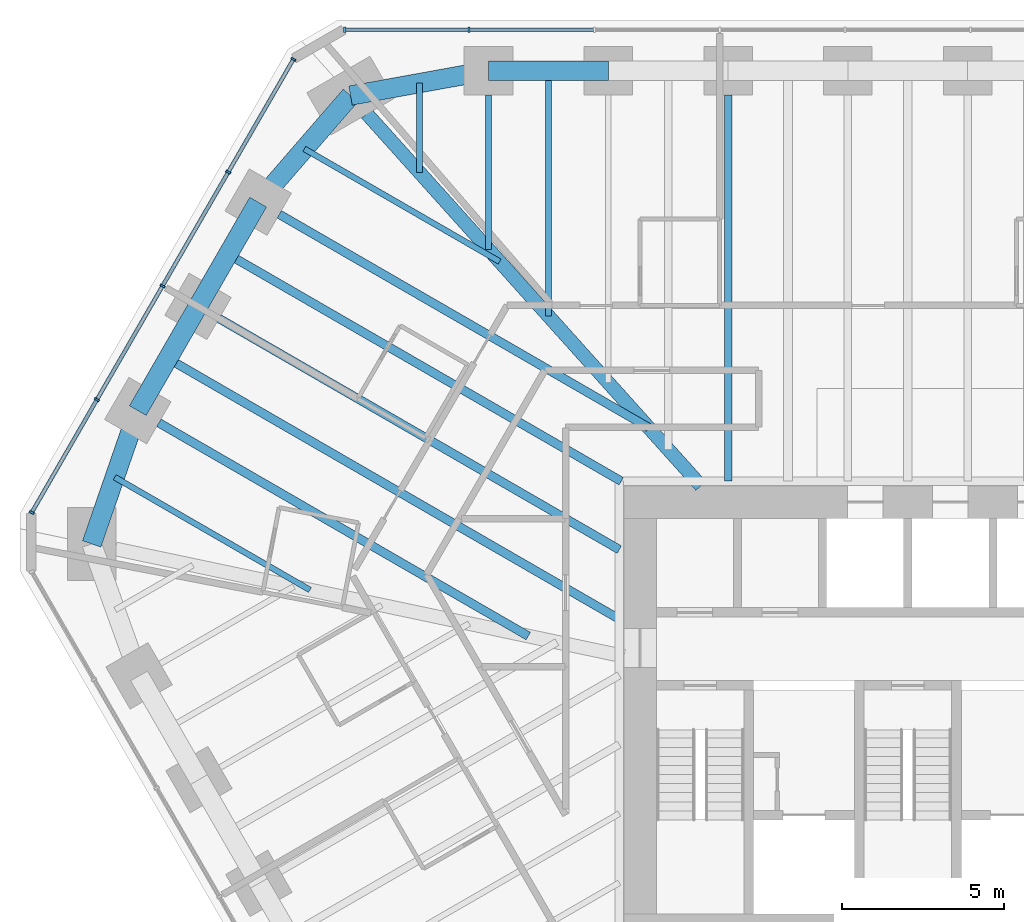
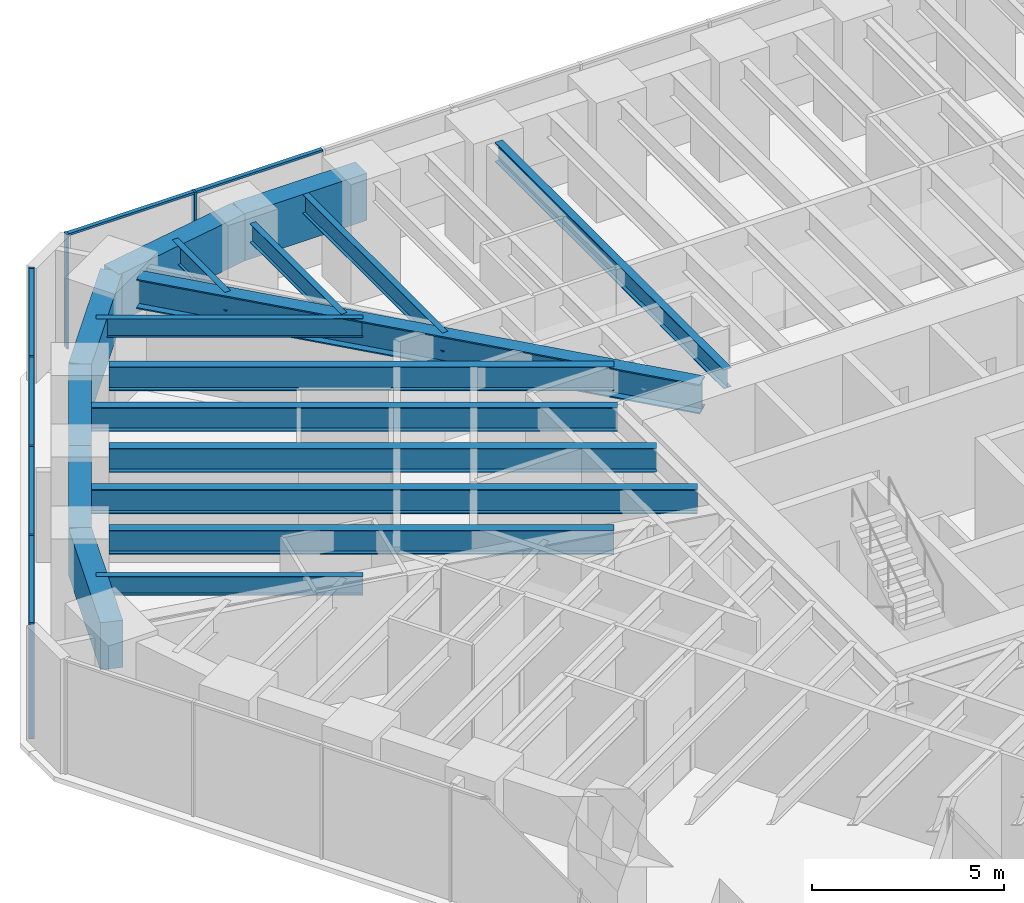
# One storey, part 7 of 17: 18 beams, 13 members, 2 elements without a shape of their own.
"""IFC4 building model written with IfcOpenShell, lengths in metres."""

from ifc_helpers import new_model, si_unit, direction, frame, origin, origin_2d, place, context, subcontext, project, spatial, rectangle, i_section, extrude, material, material_profile, profile_set, type_object, element, aggregate, save


model = new_model("IFC4")

# Units and contexts
model_context = context("Model", 3, precision=1e-05, world=origin(), true_north=direction((0.0, 1.0)))
body_context = subcontext(model_context, "Body", "Model", "MODEL_VIEW")
ifc_project = project(units=[si_unit("LENGTHUNIT", "METRE"), si_unit("AREAUNIT", "SQUARE_METRE"), si_unit("VOLUMEUNIT", "CUBIC_METRE"), si_unit("PLANEANGLEUNIT", "RADIAN"), si_unit("MASSUNIT", "GRAM", prefix="KILO")], contexts=[model_context])

# Site, building, storey
site_placement = place(None, origin())
site = spatial("IfcSite", under=ifc_project, at=site_placement, CompositionType="ELEMENT")
building_placement = place(site_placement, origin())
building = spatial("IfcBuilding", under=site, at=building_placement, Name="Sandreach Pilgrim Tower", CompositionType="ELEMENT")
storey_placement = place(building_placement, frame((0.0, 0.0, 217.39990234375)))
storey = spatial("IfcBuildingStorey", under=building, at=storey_placement, Name="L54", CompositionType="ELEMENT", Elevation=217.39990234375)

# Curtain wall, members
ifc_material_1 = material(Name="Aluminium framed curtain wall", Category="aluminium")
curtain_wall_type = type_object("IfcCurtainWallType", Name="Upper hotel tower curtain wall", PredefinedType="NOTDEFINED", material=ifc_material_1)
curtain_wall_1_placement = place(storey_placement, origin())
curtain_wall_1 = element("IfcCurtainWall", 1, at=curtain_wall_1_placement, inside=storey, type_object=curtain_wall_type, Name="CW-3 L54 N", PredefinedType="NOTDEFINED")
ifc_material_2 = material(Name="Aluminium extrusion", Category="aluminium")
ifc_material_profile_1 = material_profile(ifc_material_2, rectangle(XDim=0.06494140625, YDim=0.159912109375, at=origin_2d()), Name="CW-3M 65X160")
ifc_profile_set_1 = profile_set([ifc_material_profile_1], Name="Aluminium extrusion")
member_type_1 = type_object("IfcMemberType", Name="CW-3 mullion", PredefinedType="MULLION", material=ifc_profile_set_1)
member_1_placement = place(storey_placement, frame((-17.357421875, 21.16015625, 0.0), z_axis=(0.0, 0.0, 1.0), x_axis=(1.0, 0.0, 0.0)))
member_1 = element("IfcMember", 2, at=member_1_placement, type_object=member_type_1, Name="CW-3 mullion 1", PredefinedType="MULLION", context=body_context, shape_type="SweptSolid", body=[
    extrude(rectangle(XDim=0.06494140625, YDim=0.159912109375, at=origin_2d()), origin(), (0.0, 0.0, 1.0), 3.64013671875),
])
member_2_placement = place(storey_placement, frame((-13.525390625, 21.16015625, 0.0), z_axis=(0.0, 0.0, 1.0), x_axis=(1.0, 0.0, 0.0)))
member_2 = element("IfcMember", 3, at=member_2_placement, type_object=member_type_1, Name="CW-3 mullion 2", PredefinedType="MULLION", context=body_context, shape_type="SweptSolid", body=[
    extrude(rectangle(XDim=0.06494140625, YDim=0.159912109375, at=origin_2d()), origin(), (0.0, 0.0, 1.0), 3.64013671875),
])

curtain_wall_2_placement = place(storey_placement, origin())
curtain_wall_2 = element("IfcCurtainWall", 4, at=curtain_wall_2_placement, inside=storey, type_object=curtain_wall_type, Name="CW-3 L54 NW", PredefinedType="NOTDEFINED")
member_3_placement = place(storey_placement, frame((-27.00390625, 6.278076171875, 0.0), z_axis=(0.0, 0.0, 1.0), x_axis=(0.5, 0.866025403784, 0.0)))
member_3 = element("IfcMember", 5, at=member_3_placement, type_object=member_type_1, Name="CW-3 mullion 1", PredefinedType="MULLION", context=body_context, shape_type="SweptSolid", body=[
    extrude(rectangle(XDim=0.06494140625, YDim=0.159912109375, at=origin_2d()), origin(), (0.0, 0.0, 1.0), 3.64013671875),
])
member_4_placement = place(storey_placement, frame((-24.995849609375, 9.75634765625, 0.0), z_axis=(0.0, 0.0, 1.0), x_axis=(0.5, 0.866025403784, 0.0)))
member_4 = element("IfcMember", 6, at=member_4_placement, type_object=member_type_1, Name="CW-3 mullion 2", PredefinedType="MULLION", context=body_context, shape_type="SweptSolid", body=[
    extrude(rectangle(XDim=0.06494140625, YDim=0.159912109375, at=origin_2d()), origin(), (0.0, 0.0, 1.0), 3.64013671875),
])
member_5_placement = place(storey_placement, frame((-22.971435546875, 13.262451171875, 0.0), z_axis=(0.0, 0.0, 1.0), x_axis=(0.5, 0.866025403784, 0.0)))
member_5 = element("IfcMember", 7, at=member_5_placement, type_object=member_type_1, Name="CW-3 mullion 3", PredefinedType="MULLION", context=body_context, shape_type="SweptSolid", body=[
    extrude(rectangle(XDim=0.06494140625, YDim=0.159912109375, at=origin_2d()), origin(), (0.0, 0.0, 1.0), 3.64013671875),
])
member_6_placement = place(storey_placement, frame((-20.947021484375, 16.768798828125, 0.0), z_axis=(0.0, 0.0, 1.0), x_axis=(0.5, 0.866025403784, 0.0)))
member_6 = element("IfcMember", 8, at=member_6_placement, type_object=member_type_1, Name="CW-3 mullion 4", PredefinedType="MULLION", context=body_context, shape_type="SweptSolid", body=[
    extrude(rectangle(XDim=0.06494140625, YDim=0.159912109375, at=origin_2d()), origin(), (0.0, 0.0, 1.0), 3.64013671875),
])
member_7_placement = place(storey_placement, frame((-18.93896484375, 20.2470703125, 0.0), z_axis=(0.0, 0.0, 1.0), x_axis=(0.5, 0.866025403784, 0.0)))
member_7 = element("IfcMember", 9, at=member_7_placement, type_object=member_type_1, Name="CW-3 mullion 5", PredefinedType="MULLION", context=body_context, shape_type="SweptSolid", body=[
    extrude(rectangle(XDim=0.06494140625, YDim=0.159912109375, at=origin_2d()), origin(), (0.0, 0.0, 1.0), 3.64013671875),
])

# Member
ifc_material_3 = material(Name="Aluminium extrusion", Category="aluminium")
ifc_material_profile_2 = material_profile(ifc_material_3, rectangle(XDim=0.1201171875, YDim=0.070068359375, at=origin_2d()), Name="CW-3T 120X70")
ifc_profile_set_2 = profile_set([ifc_material_profile_2], Name="Aluminium extrusion")
member_type_2 = type_object("IfcMemberType", Name="CW-3 transom", PredefinedType="USERDEFINED", material=ifc_profile_set_2)
member_8_placement = place(storey_placement, frame((-17.324951171875, 21.16015625, 3.60498046875), z_axis=(1.0, 0.0, 0.0), x_axis=(0.0, 1.0, 0.0)))
member_8 = element("IfcMember", 10, at=member_8_placement, type_object=member_type_2, Name="CW-3 head transom 1", ObjectType="TRANSOM", PredefinedType="USERDEFINED", context=body_context, shape_type="SweptSolid", body=[
    extrude(rectangle(XDim=0.1201171875, YDim=0.070068359375, at=origin_2d()), origin(), (0.0, 0.0, 1.0), 3.76708984375),
])

member_9_placement = place(storey_placement, frame((-13.492919921875, 21.16015625, 3.60498046875), z_axis=(1.0, 0.0, 0.0), x_axis=(0.0, 1.0, 0.0)))
member_9 = element("IfcMember", 11, at=member_9_placement, type_object=member_type_2, Name="CW-3 head transom 2", ObjectType="TRANSOM", PredefinedType="USERDEFINED", context=body_context, shape_type="SweptSolid", body=[
    extrude(rectangle(XDim=0.1201171875, YDim=0.070068359375, at=origin_2d()), origin(), (0.0, 0.0, 1.0), 3.79931640625),
])

aggregate(curtain_wall_1, [member_1, member_2, member_8, member_9])

member_10_placement = place(storey_placement, frame((-26.987548828125, 6.306396484375, 3.60498046875), z_axis=(0.499993448556, 0.866029186229, 0.0), x_axis=(-0.866029186229, 0.499993448556, 0.0)))
member_10 = element("IfcMember", 12, at=member_10_placement, type_object=member_type_2, Name="CW-3 head transom 1", ObjectType="TRANSOM", PredefinedType="USERDEFINED", context=body_context, shape_type="SweptSolid", body=[
    extrude(rectangle(XDim=0.1201171875, YDim=0.070068359375, at=origin_2d()), origin(), (0.0, 0.0, 1.0), 3.951171875),
])

member_11_placement = place(storey_placement, frame((-24.9794921875, 9.784423828125, 3.60498046875), z_axis=(0.499975332564, 0.866039645067, 0.0), x_axis=(-0.866039645067, 0.499975332564, 0.0)))
member_11 = element("IfcMember", 13, at=member_11_placement, type_object=member_type_2, Name="CW-3 head transom 2", ObjectType="TRANSOM", PredefinedType="USERDEFINED", context=body_context, shape_type="SweptSolid", body=[
    extrude(rectangle(XDim=0.1201171875, YDim=0.070068359375, at=origin_2d()), origin(), (0.0, 0.0, 1.0), 3.983642578125),
])

member_12_placement = place(storey_placement, frame((-22.955078125, 13.290771484375, 3.60498046875), z_axis=(0.499975332564, 0.866039645067, 0.0), x_axis=(-0.866039645067, 0.499975332564, 0.0)))
member_12 = element("IfcMember", 14, at=member_12_placement, type_object=member_type_2, Name="CW-3 head transom 3", ObjectType="TRANSOM", PredefinedType="USERDEFINED", context=body_context, shape_type="SweptSolid", body=[
    extrude(rectangle(XDim=0.1201171875, YDim=0.070068359375, at=origin_2d()), origin(), (0.0, 0.0, 1.0), 3.983642578125),
])

member_13_placement = place(storey_placement, frame((-20.930908203125, 16.796875, 3.60498046875), z_axis=(0.499993448556, 0.866029186229, 0.0), x_axis=(-0.866029186229, 0.499993448556, 0.0)))
member_13 = element("IfcMember", 15, at=member_13_placement, type_object=member_type_2, Name="CW-3 head transom 4", ObjectType="TRANSOM", PredefinedType="USERDEFINED", context=body_context, shape_type="SweptSolid", body=[
    extrude(rectangle(XDim=0.1201171875, YDim=0.070068359375, at=origin_2d()), origin(), (0.0, 0.0, 1.0), 3.951171875),
])

aggregate(curtain_wall_2, [member_3, member_4, member_5, member_6, member_7, member_10, member_11, member_12, member_13])

# Beams
ifc_material_4 = material(Name="Steel ASTM A992 Grade 50", Category="steel")
ifc_material_profile_3 = material_profile(ifc_material_4, i_section(OverallWidth=0.421630859375, OverallDepth=0.937255859375, WebThickness=0.0224609375, FlangeThickness=0.039794921875, at=origin_2d()), Name="W36X282")
ifc_profile_set_3 = profile_set([ifc_material_profile_3], Name="Steel ASTM A992 Grade 50")
beam_type_1 = type_object("IfcBeamType", Name="Corner girder W36X282", PredefinedType="BEAM", material=ifc_profile_set_3)
beam_1_placement = place(storey_placement, frame((-16.677001953125, 18.572509765625, 3.17138671875), z_axis=(0.668116607722, -0.744056582853, 0.0), x_axis=(0.744056582853, 0.668116607722, 0.0)))
element("IfcBeam", 16, at=beam_1_placement, inside=storey, type_object=beam_type_1, Name="BM L54 CG39", PredefinedType="BEAM", context=body_context, shape_type="SweptSolid", body=[
    extrude(i_section(OverallWidth=0.421630859375, OverallDepth=0.937255859375, WebThickness=0.0224609375, FlangeThickness=0.039794921875, at=origin_2d()), origin(), (0.0, 0.0, 1.0), 15.418701171875),
])
ifc_material_5 = material(Name="Steel ASTM A992 Grade 50", Category="steel")
ifc_material_profile_4 = material_profile(ifc_material_5, i_section(OverallWidth=0.1787109375, OverallDepth=0.60205078125, WebThickness=0.010986328125, FlangeThickness=0.014892578125, at=origin_2d()), Name="W24X62")
ifc_profile_set_4 = profile_set([ifc_material_profile_4], Name="Steel ASTM A992 Grade 50")
beam_type_2 = type_object("IfcBeamType", Name="Floor beam W24X62", PredefinedType="BEAM", material=ifc_profile_set_4)
beam_2_placement = place(storey_placement, frame((-12.923828125, 19.150146484375, 3.339111328125), z_axis=(0.0, -1.0, 0.0), x_axis=(1.0, 0.0, 0.0)))
element("IfcBeam", 17, at=beam_2_placement, inside=storey, type_object=beam_type_2, Name="BM L54 F01", PredefinedType="BEAM", context=body_context, shape_type="SweptSolid", body=[
    extrude(i_section(OverallWidth=0.1787109375, OverallDepth=0.60205078125, WebThickness=0.010986328125, FlangeThickness=0.014892578125, at=origin_2d()), origin(), (0.0, 0.0, 1.0), 4.757568359375),
])
beam_3_placement = place(storey_placement, frame((-11.077392578125, 19.900146484375, 3.339111328125), z_axis=(0.0, -1.0, 0.0), x_axis=(1.0, 0.0, 0.0)))
element("IfcBeam", 18, at=beam_3_placement, inside=storey, type_object=beam_type_2, Name="BM L54 FM01", PredefinedType="BEAM", context=body_context, shape_type="SweptSolid", body=[
    extrude(i_section(OverallWidth=0.1787109375, OverallDepth=0.60205078125, WebThickness=0.010986328125, FlangeThickness=0.014892578125, at=origin_2d()), origin(), (0.0, 0.0, 1.0), 7.563720703125),
])
for number, where, z_axis, x_axis, name in (
    (19, (-24.446044921875, 7.365234375, 3.339111328125), (0.866029381593, -0.499993110171, 0.0), (0.499993110171, 0.866029381593, 0.0), "BM L54 FM35"),
    (20, (-18.6015625, 17.48828125, 3.339111328125), (0.866029381593, -0.499993110171, 0.0), (0.499993110171, 0.866029381593, 0.0), "BM L54 FM38"),
):
    element("IfcBeam", number, at=place(storey_placement, frame(where, z_axis=z_axis, x_axis=x_axis)), inside=storey, type_object=beam_type_2, Name=name, PredefinedType="BEAM", context=body_context, shape_type="SweptSolid", body=[
        extrude(i_section(OverallWidth=0.1787109375, OverallDepth=0.60205078125, WebThickness=0.010986328125, FlangeThickness=0.014892578125, at=origin_2d()), origin(), (0.0, 0.0, 1.0), 6.94921875),
    ])
beam_4_placement = place(storey_placement, frame((-15.05078125, 19.515380859375, 3.339111328125), z_axis=(0.0, -1.0, 0.0), x_axis=(1.0, 0.0, 0.0)))
element("IfcBeam", 21, at=beam_4_placement, inside=storey, type_object=beam_type_2, Name="BM L54 FM39", PredefinedType="BEAM", context=body_context, shape_type="SweptSolid", body=[
    extrude(i_section(OverallWidth=0.1787109375, OverallDepth=0.60205078125, WebThickness=0.010986328125, FlangeThickness=0.014892578125, at=origin_2d()), origin(), (0.0, 0.0, 1.0), 2.75390625),
])
ifc_material_6 = material(Name="Steel ASTM A992 Grade 50", Category="steel")
ifc_material_profile_5 = material_profile(ifc_material_6, i_section(OverallWidth=0.23046875, OverallDepth=0.6171875, WebThickness=0.01318359375, FlangeThickness=0.022216796875, at=origin_2d()), Name="W24X94")
ifc_profile_set_5 = profile_set([ifc_material_profile_5], Name="Steel ASTM A992 Grade 50")
beam_type_3 = type_object("IfcBeamType", Name="Floor beam W24X94", PredefinedType="BEAM", material=ifc_profile_set_5)
beam_5_placement = place(storey_placement, frame((-5.538818359375, 19.150146484375, 3.33154296875), z_axis=(0.0, -1.0, 0.0), x_axis=(1.0, 0.0, 0.0)))
element("IfcBeam", 22, at=beam_5_placement, inside=storey, type_object=beam_type_3, Name="BM L54 F03", PredefinedType="BEAM", context=body_context, shape_type="SweptSolid", body=[
    extrude(i_section(OverallWidth=0.23046875, OverallDepth=0.6171875, WebThickness=0.01318359375, FlangeThickness=0.022216796875, at=origin_2d()), origin(), (0.0, 0.0, 1.0), 11.90673828125),
])
ifc_material_7 = material(Name="Steel ASTM A992 Grade 50", Category="steel")
ifc_material_profile_6 = material_profile(ifc_material_7, i_section(OverallWidth=0.2666015625, OverallDepth=0.761962890625, WebThickness=0.014404296875, FlangeThickness=0.021484375, at=origin_2d()), Name="W30X116")
ifc_profile_set_6 = profile_set([ifc_material_profile_6], Name="Steel ASTM A992 Grade 50")
beam_type_4 = type_object("IfcBeamType", Name="Floor beam W30X116", PredefinedType="BEAM", material=ifc_profile_set_6)
beam_6_placement = place(storey_placement, frame((-23.0859375, 9.044189453125, 3.259033203125), z_axis=(0.866026962808, -0.499997299682, 0.0), x_axis=(0.499997299682, 0.866026962808, 0.0)))
element("IfcBeam", 23, at=beam_6_placement, inside=storey, type_object=beam_type_4, Name="BM L54 F36", PredefinedType="BEAM", context=body_context, shape_type="SweptSolid", body=[
    extrude(i_section(OverallWidth=0.2666015625, OverallDepth=0.761962890625, WebThickness=0.014404296875, FlangeThickness=0.021484375, at=origin_2d()), origin(), (0.0, 0.0, 1.0), 13.1484375),
])
beam_7_placement = place(storey_placement, frame((-21.230712890625, 12.257568359375, 3.259033203125), z_axis=(0.866024056942, -0.500002332792, 0.0), x_axis=(0.500002332792, 0.866024056942, 0.0)))
element("IfcBeam", 24, at=beam_7_placement, inside=storey, type_object=beam_type_4, Name="BM L54 F37", PredefinedType="BEAM", context=body_context, shape_type="SweptSolid", body=[
    extrude(i_section(OverallWidth=0.2666015625, OverallDepth=0.761962890625, WebThickness=0.014404296875, FlangeThickness=0.021484375, at=origin_2d()), origin(), (0.0, 0.0, 1.0), 14.24609375),
])
beam_8_placement = place(storey_placement, frame((-19.37548828125, 15.470947265625, 3.259033203125), z_axis=(0.866022320763, -0.500005339912, 0.0), x_axis=(0.500005339912, 0.866022320763, 0.0)))
element("IfcBeam", 25, at=beam_8_placement, inside=storey, type_object=beam_type_4, Name="BM L54 F38", PredefinedType="BEAM", context=body_context, shape_type="SweptSolid", body=[
    extrude(i_section(OverallWidth=0.2666015625, OverallDepth=0.761962890625, WebThickness=0.014404296875, FlangeThickness=0.021484375, at=origin_2d()), origin(), (0.0, 0.0, 1.0), 13.148193359375),
])
beam_9_placement = place(storey_placement, frame((-20.95263671875, 14.2392578125, 3.259033203125), z_axis=(0.866025770688, -0.499999364504, 0.0), x_axis=(0.499999364504, 0.866025770688, 0.0)))
element("IfcBeam", 26, at=beam_9_placement, inside=storey, type_object=beam_type_4, Name="BM L54 FM37", PredefinedType="BEAM", context=body_context, shape_type="SweptSolid", body=[
    extrude(i_section(OverallWidth=0.2666015625, OverallDepth=0.761962890625, WebThickness=0.014404296875, FlangeThickness=0.021484375, at=origin_2d()), origin(), (0.0, 0.0, 1.0), 13.99169921875),
])
ifc_material_8 = material(Name="Steel ASTM A992 Grade 50", Category="steel")
ifc_material_profile_7 = material_profile(ifc_material_8, i_section(OverallWidth=0.2666015625, OverallDepth=0.77978515625, WebThickness=0.0166015625, FlangeThickness=0.030029296875, at=origin_2d()), Name="W30X148")
ifc_profile_set_7 = profile_set([ifc_material_profile_7], Name="Steel ASTM A992 Grade 50")
beam_type_5 = type_object("IfcBeamType", Name="Floor beam W30X148", PredefinedType="BEAM", material=ifc_profile_set_7)
beam_10_placement = place(storey_placement, frame((-22.807861328125, 11.02587890625, 3.250244140625), z_axis=(0.866028701771, -0.499994287676, 0.0), x_axis=(0.499994287676, 0.866028701771, 0.0)))
element("IfcBeam", 27, at=beam_10_placement, inside=storey, type_object=beam_type_5, Name="BM L54 FM36", PredefinedType="BEAM", context=body_context, shape_type="SweptSolid", body=[
    extrude(i_section(OverallWidth=0.2666015625, OverallDepth=0.77978515625, WebThickness=0.0166015625, FlangeThickness=0.030029296875, at=origin_2d()), origin(), (0.0, 0.0, 1.0), 16.067138671875),
])
ifc_material_9 = material(Name="Concrete 10000 psi", Category="concrete")
ifc_material_profile_8 = material_profile(ifc_material_9, rectangle(XDim=0.60009765625, YDim=1.5, at=origin_2d()), Name="RC600X1500")
ifc_profile_set_8 = profile_set([ifc_material_profile_8], Name="Concrete 10000 psi")
beam_type_6 = type_object("IfcBeamType", Name="Spandrel beam RC600X1500", PredefinedType="SPANDREL", material=ifc_profile_set_8)
beam_11_placement = place(storey_placement, frame((-12.923828125, 19.900146484375, 2.89013671875), z_axis=(1.0, 0.0, 0.0), x_axis=(0.0, 1.0, 0.0)))
element("IfcBeam", 28, at=beam_11_placement, inside=storey, type_object=beam_type_6, Name="BM L54 SP01", PredefinedType="SPANDREL", context=body_context, shape_type="SweptSolid", body=[
    extrude(rectangle(XDim=0.60009765625, YDim=1.5, at=origin_2d()), origin(), (0.0, 0.0, 1.0), 3.692626953125),
])
beam_12_placement = place(storey_placement, frame((-25.156494140625, 5.311279296875, 2.89013671875), z_axis=(0.326940800053, 0.945044820768, 0.0), x_axis=(-0.945044820768, 0.326940800053, 0.0)))
element("IfcBeam", 29, at=beam_12_placement, inside=storey, type_object=beam_type_6, Name="BM L54 SP35", PredefinedType="SPANDREL", context=body_context, shape_type="SweptSolid", body=[
    extrude(rectangle(XDim=0.60009765625, YDim=1.5, at=origin_2d()), origin(), (0.0, 0.0, 1.0), 4.3466796875),
])
for number, where, z_axis, x_axis, name in (
    (30, (-23.7353515625, 9.419189453125, 2.89013671875), (0.499946491854, 0.866056294523, 0.0), (-0.866056294523, 0.499946491854, 0.0), "BM L54 SP36"),
    (31, (-21.88037109375, 12.632568359375, 2.89013671875), (0.499995842751, 0.86602780396, 0.0), (-0.86602780396, 0.499995842751, 0.0), "BM L54 SP37"),
):
    element("IfcBeam", number, at=place(storey_placement, frame(where, z_axis=z_axis, x_axis=x_axis)), inside=storey, type_object=beam_type_6, Name=name, PredefinedType="SPANDREL", context=body_context, shape_type="SweptSolid", body=[
        extrude(rectangle(XDim=0.60009765625, YDim=1.5, at=origin_2d()), origin(), (0.0, 0.0, 1.0), 3.71044921875),
    ])
beam_13_placement = place(storey_placement, frame((-20.025146484375, 15.845947265625, 2.89013671875), z_axis=(0.65499040715, 0.755637192402, 0.0), x_axis=(-0.755637192402, 0.65499040715, 0.0)))
element("IfcBeam", 32, at=beam_13_placement, inside=storey, type_object=beam_type_6, Name="BM L54 SP38", PredefinedType="SPANDREL", context=body_context, shape_type="SweptSolid", body=[
    extrude(rectangle(XDim=0.60009765625, YDim=1.5, at=origin_2d()), origin(), (0.0, 0.0, 1.0), 4.346923828125),
])
beam_14_placement = place(storey_placement, frame((-17.177978515625, 19.130615234375, 2.89013671875), z_axis=(0.984030345637, 0.178000783326, 0.0), x_axis=(-0.178000783326, 0.984030345637, 0.0)))
element("IfcBeam", 33, at=beam_14_placement, inside=storey, type_object=beam_type_6, Name="BM L54 SP39", PredefinedType="SPANDREL", context=body_context, shape_type="SweptSolid", body=[
    extrude(rectangle(XDim=0.60009765625, YDim=1.5, at=origin_2d()), origin(), (0.0, 0.0, 1.0), 4.3232421875),
])

save(model, "model.ifc")
